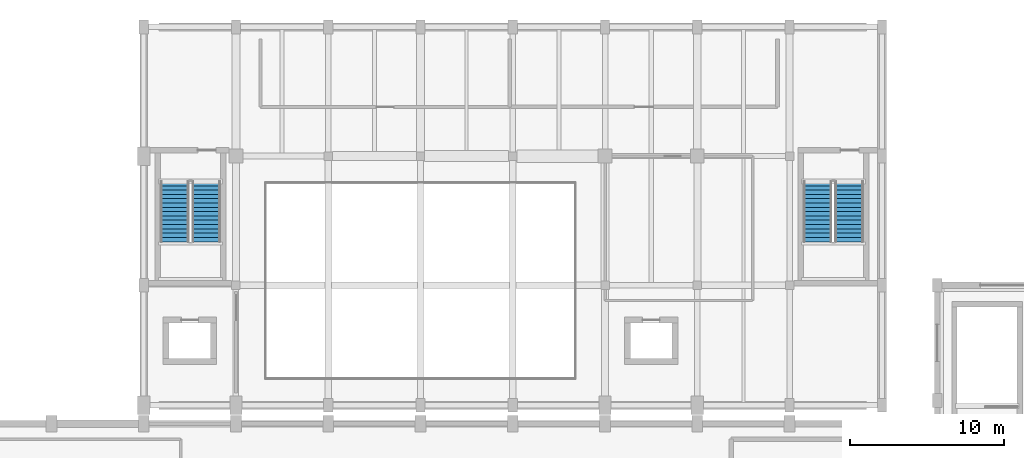
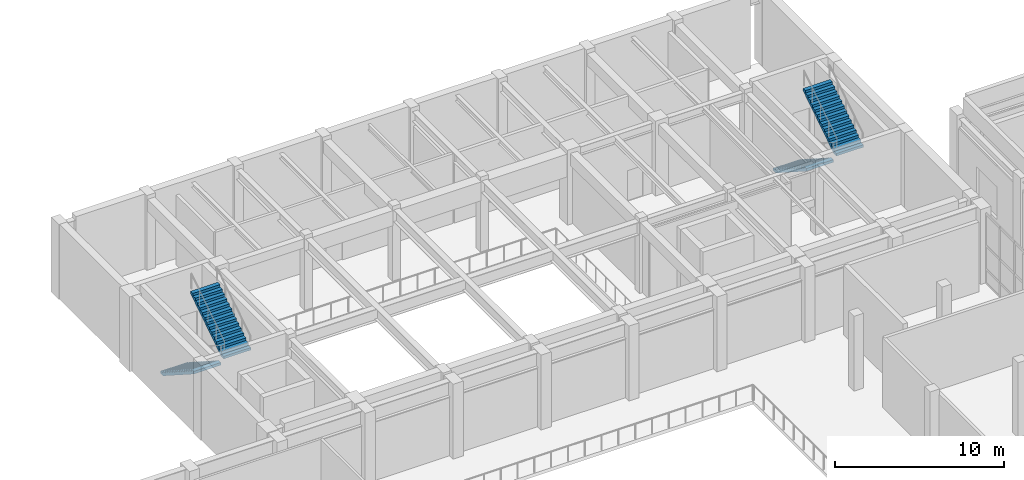
# One storey, part 33 of 41: 4 stair flights, 2 elements without a shape of their own.
"""IFC4 building model written with IfcOpenShell, lengths in metres."""

from ifc_helpers import new_model, si_unit, direction, frame, origin, place, context, subcontext, project, spatial, polyline, outline, extrude, material, type_object, element, aggregate, save


model = new_model("IFC4")

# Units and contexts
model_context = context("Model", 3, precision=1e-05, world=origin(), true_north=direction((0.0, 1.0)))
body_context = subcontext(model_context, "Body", "Model", "MODEL_VIEW")
ifc_project = project(units=[si_unit("LENGTHUNIT", "METRE"), si_unit("AREAUNIT", "SQUARE_METRE"), si_unit("VOLUMEUNIT", "CUBIC_METRE"), si_unit("PLANEANGLEUNIT", "RADIAN"), si_unit("MASSUNIT", "GRAM", prefix="KILO")], contexts=[model_context])

# Site, building, storey
site_placement = place(None, origin())
site = spatial("IfcSite", under=ifc_project, at=site_placement, CompositionType="ELEMENT")
building_placement = place(site_placement, origin())
building = spatial("IfcBuilding", under=site, at=building_placement, Name="Vaelkrest Opera House", CompositionType="ELEMENT")
storey_placement = place(building_placement, frame((0.0, 0.0, 24.60009765625)))
storey = spatial("IfcBuildingStorey", under=building, at=storey_placement, Name="L05", CompositionType="ELEMENT", Elevation=24.60009765625)

# Stair, stair flights
ifc_material = material(Name="Concrete C40/50", Category="concrete")
stair_type_1 = type_object("IfcStairType", Name="ST05", PredefinedType="TWO_STRAIGHT_RUN_STAIR", material=ifc_material)
stair_1_placement = place(storey_placement, origin())
stair_1 = element("IfcStair", 1, at=stair_1_placement, inside=storey, type_object=stair_type_1, Name="L05 Protected exit stair ST05", PredefinedType="TWO_STRAIGHT_RUN_STAIR")
stair_flight_type = type_object("IfcStairFlightType", Name="SFL176", PredefinedType="STRAIGHT", material=ifc_material)
stair_flight_1_placement = place(storey_placement, frame((-15.97509765625, 31.949951171875, 0.0), z_axis=(0.0, 0.0, 1.0), x_axis=(0.0, -1.0, 0.0)))
stair_flight_1 = element("IfcStairFlight", 2, at=stair_flight_1_placement, type_object=stair_flight_type, Name="ST05 flight 1", NumberOfRisers=15, NumberOfTreads=14, PredefinedType="STRAIGHT", RiserHeight=0.18, TreadLength=0.28, context=body_context, shape_type="SweptSolid", body=[
    extrude(outline(polyline([(0.0, 0.0), (0.0, 0.179931640625), (0.280029296875, 0.179931640625), (0.280029296875, 0.360107421875), (0.56005859375, 0.360107421875), (0.56005859375, 0.5400390625), (0.840087890625, 0.5400390625), (0.840087890625, 0.719970703125), (1.1201171875, 0.719970703125), (1.1201171875, 0.89990234375), (1.39990234375, 0.89990234375), (1.39990234375, 1.080078125), (1.679931640625, 1.080078125), (1.679931640625, 1.260009765625), (1.9599609375, 1.260009765625), (1.9599609375, 1.43994140625), (2.239990234375, 1.43994140625), (2.239990234375, 1.6201171875), (2.52001953125, 1.6201171875), (2.52001953125, 1.800048828125), (2.800048828125, 1.800048828125), (2.800048828125, 1.97998046875), (3.080078125, 1.97998046875), (3.080078125, 2.159912109375), (3.360107421875, 2.159912109375), (3.360107421875, 2.340087890625), (3.639892578125, 2.340087890625), (3.639892578125, 2.52001953125), (3.919921875, 2.52001953125), (3.919921875, 2.699951171875), (3.919921875, 2.329833984375), (0.295654296875, 0.0), (0.0, 0.0)])), frame((0.0, 0.925048828125, 0.0), z_axis=(0.0, -1.0, 0.0), x_axis=(1.0, 0.0, 0.0)), (0.0, 0.0, 1.0), 1.85009765625),
])
stair_flight_2_placement = place(storey_placement, frame((-13.925048828125, 28.030029296875, 2.699951171875), z_axis=(0.0, 0.0, 1.0), x_axis=(0.0, 1.0, 0.0)))
stair_flight_2 = element("IfcStairFlight", 3, at=stair_flight_2_placement, type_object=stair_flight_type, Name="ST05 flight 2", NumberOfRisers=15, NumberOfTreads=14, PredefinedType="STRAIGHT", RiserHeight=0.18, TreadLength=0.28, context=body_context, shape_type="SweptSolid", body=[
    extrude(outline(polyline([(0.0, 0.0), (0.0, 0.179931640625), (0.280029296875, 0.179931640625), (0.280029296875, 0.360107421875), (0.56005859375, 0.360107421875), (0.56005859375, 0.5400390625), (0.840087890625, 0.5400390625), (0.840087890625, 0.719970703125), (1.1201171875, 0.719970703125), (1.1201171875, 0.89990234375), (1.39990234375, 0.89990234375), (1.39990234375, 1.080078125), (1.679931640625, 1.080078125), (1.679931640625, 1.260009765625), (1.9599609375, 1.260009765625), (1.9599609375, 1.43994140625), (2.239990234375, 1.43994140625), (2.239990234375, 1.6201171875), (2.52001953125, 1.6201171875), (2.52001953125, 1.800048828125), (2.800048828125, 1.800048828125), (2.800048828125, 1.97998046875), (3.080078125, 1.97998046875), (3.080078125, 2.159912109375), (3.360107421875, 2.159912109375), (3.360107421875, 2.340087890625), (3.639892578125, 2.340087890625), (3.639892578125, 2.52001953125), (3.919921875, 2.52001953125), (3.919921875, 2.699951171875), (3.919921875, 2.329833984375), (0.295654296875, 0.0), (0.0, 0.0)])), frame((0.0, 0.925048828125, 0.0), z_axis=(0.0, -1.0, 0.0), x_axis=(1.0, 0.0, 0.0)), (0.0, 0.0, 1.0), 1.85009765625),
])
aggregate(stair_1, [stair_flight_1, stair_flight_2])

stair_type_2 = type_object("IfcStairType", Name="ST06", PredefinedType="TWO_STRAIGHT_RUN_STAIR", material=ifc_material)
stair_2_placement = place(storey_placement, origin())
stair_2 = element("IfcStair", 4, at=stair_2_placement, inside=storey, type_object=stair_type_2, Name="L05 Protected exit stair ST06", PredefinedType="TWO_STRAIGHT_RUN_STAIR")
stair_flight_3_placement = place(storey_placement, frame((25.824951171875, 31.949951171875, 0.0), z_axis=(0.0, 0.0, 1.0), x_axis=(0.0, -1.0, 0.0)))
stair_flight_3 = element("IfcStairFlight", 5, at=stair_flight_3_placement, type_object=stair_flight_type, Name="ST06 flight 1", NumberOfRisers=15, NumberOfTreads=14, PredefinedType="STRAIGHT", RiserHeight=0.18, TreadLength=0.28, context=body_context, shape_type="SweptSolid", body=[
    extrude(outline(polyline([(0.0, 0.0), (0.0, 0.179931640625), (0.280029296875, 0.179931640625), (0.280029296875, 0.360107421875), (0.56005859375, 0.360107421875), (0.56005859375, 0.5400390625), (0.840087890625, 0.5400390625), (0.840087890625, 0.719970703125), (1.1201171875, 0.719970703125), (1.1201171875, 0.89990234375), (1.39990234375, 0.89990234375), (1.39990234375, 1.080078125), (1.679931640625, 1.080078125), (1.679931640625, 1.260009765625), (1.9599609375, 1.260009765625), (1.9599609375, 1.43994140625), (2.239990234375, 1.43994140625), (2.239990234375, 1.6201171875), (2.52001953125, 1.6201171875), (2.52001953125, 1.800048828125), (2.800048828125, 1.800048828125), (2.800048828125, 1.97998046875), (3.080078125, 1.97998046875), (3.080078125, 2.159912109375), (3.360107421875, 2.159912109375), (3.360107421875, 2.340087890625), (3.639892578125, 2.340087890625), (3.639892578125, 2.52001953125), (3.919921875, 2.52001953125), (3.919921875, 2.699951171875), (3.919921875, 2.329833984375), (0.295654296875, 0.0), (0.0, 0.0)])), frame((0.0, 0.925048828125, 0.0), z_axis=(0.0, -1.0, 0.0), x_axis=(1.0, 0.0, 0.0)), (0.0, 0.0, 1.0), 1.85009765625),
])
stair_flight_4_placement = place(storey_placement, frame((27.875, 28.030029296875, 2.699951171875), z_axis=(0.0, 0.0, 1.0), x_axis=(0.0, 1.0, 0.0)))
stair_flight_4 = element("IfcStairFlight", 6, at=stair_flight_4_placement, type_object=stair_flight_type, Name="ST06 flight 2", NumberOfRisers=15, NumberOfTreads=14, PredefinedType="STRAIGHT", RiserHeight=0.18, TreadLength=0.28, context=body_context, shape_type="SweptSolid", body=[
    extrude(outline(polyline([(0.0, 0.0), (0.0, 0.179931640625), (0.280029296875, 0.179931640625), (0.280029296875, 0.360107421875), (0.56005859375, 0.360107421875), (0.56005859375, 0.5400390625), (0.840087890625, 0.5400390625), (0.840087890625, 0.719970703125), (1.1201171875, 0.719970703125), (1.1201171875, 0.89990234375), (1.39990234375, 0.89990234375), (1.39990234375, 1.080078125), (1.679931640625, 1.080078125), (1.679931640625, 1.260009765625), (1.9599609375, 1.260009765625), (1.9599609375, 1.43994140625), (2.239990234375, 1.43994140625), (2.239990234375, 1.6201171875), (2.52001953125, 1.6201171875), (2.52001953125, 1.800048828125), (2.800048828125, 1.800048828125), (2.800048828125, 1.97998046875), (3.080078125, 1.97998046875), (3.080078125, 2.159912109375), (3.360107421875, 2.159912109375), (3.360107421875, 2.340087890625), (3.639892578125, 2.340087890625), (3.639892578125, 2.52001953125), (3.919921875, 2.52001953125), (3.919921875, 2.699951171875), (3.919921875, 2.329833984375), (0.295654296875, 0.0), (0.0, 0.0)])), frame((0.0, 0.925048828125, 0.0), z_axis=(0.0, -1.0, 0.0), x_axis=(1.0, 0.0, 0.0)), (0.0, 0.0, 1.0), 1.85009765625),
])
aggregate(stair_2, [stair_flight_3, stair_flight_4])

save(model, "model.ifc")
